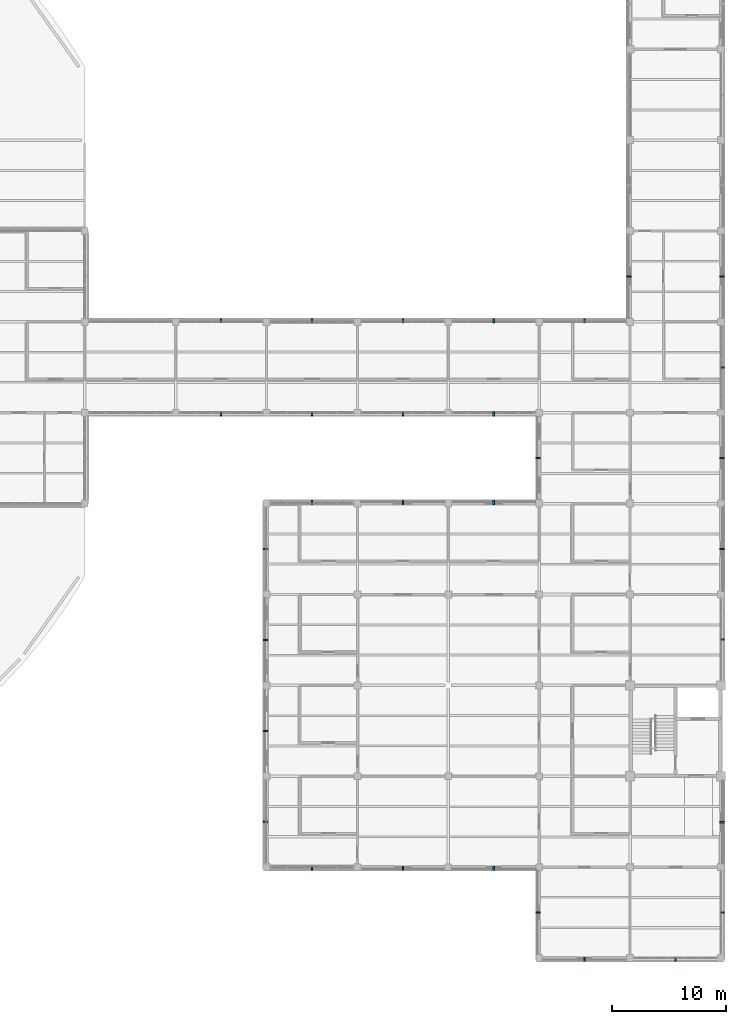
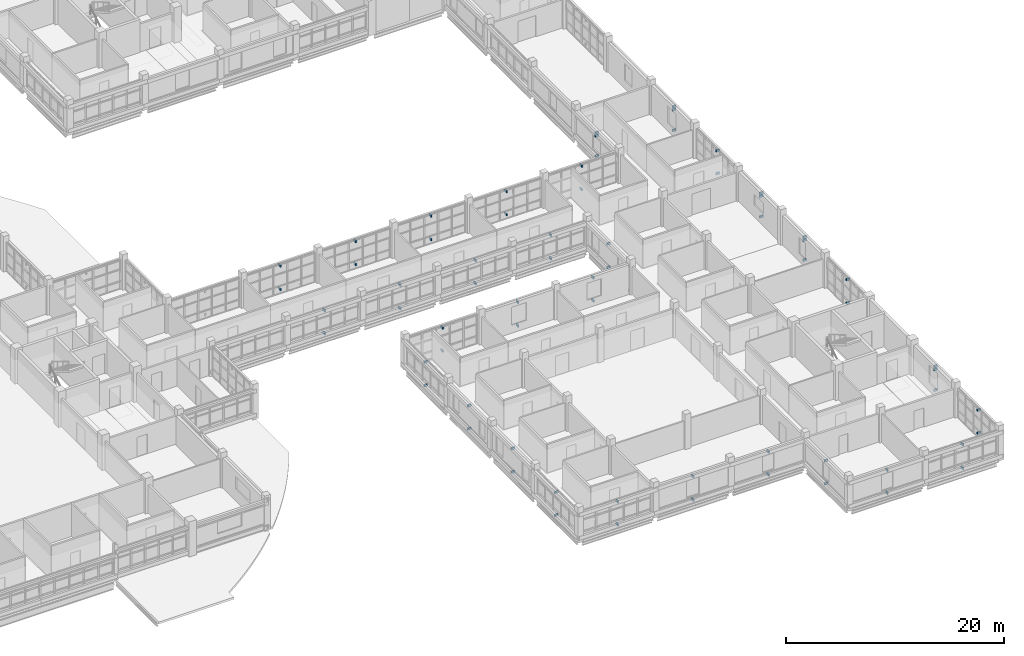
# One storey, part 111 of 126: 67 discrete accessories.
"""IFC4 building model written with IfcOpenShell, lengths in metres."""

from ifc_helpers import new_model, si_unit, derived_unit, direction, frame, origin, origin_2d, place, context, subcontext, project, spatial, rectangle, extrude, material, type_object, element, save


model = new_model("IFC4")

# Units and contexts
model_context = context("Model", 3, precision=1e-05, world=origin(), true_north=direction((0.0, 1.0)))
body_context = subcontext(model_context, "Body", "Model", "MODEL_VIEW")
ifc_project = project(units=[si_unit("LENGTHUNIT", "METRE"), si_unit("AREAUNIT", "SQUARE_METRE"), si_unit("VOLUMEUNIT", "CUBIC_METRE"), si_unit("PLANEANGLEUNIT", "RADIAN"), si_unit("MASSUNIT", "GRAM", prefix="KILO"), derived_unit("THERMALTRANSMITTANCEUNIT", [(si_unit("MASSUNIT", "GRAM", prefix="KILO"), 1), (si_unit("TIMEUNIT", "SECOND"), -3), (si_unit("THERMODYNAMICTEMPERATUREUNIT", "KELVIN"), -1)])], contexts=[model_context])

# Site, building, storey
site_placement = place(None, origin())
site = spatial("IfcSite", under=ifc_project, at=site_placement, CompositionType="ELEMENT")
building_placement = place(site_placement, origin())
building = spatial("IfcBuilding", under=site, at=building_placement, Name="Veyamyaing Civic Hall", CompositionType="ELEMENT")
storey_placement = place(building_placement, frame((0.0, 0.0, 9.89990234375)))
storey = spatial("IfcBuildingStorey", under=building, at=storey_placement, Name="L02", CompositionType="ELEMENT", Elevation=9.89990234375)

# Discrete accessories
ifc_material = material(Name="Steel S355J2", Category="steel")
discrete_accessory_type = type_object("IfcDiscreteAccessoryType", Name="BK-01", PredefinedType="BRACKET", material=ifc_material)
for number, where, z_axis, x_axis, name in (
    (1, (132.0, 47.89990234375, 2.93994140625), (0.0, 0.0, 1.0), (0.0, -1.0, 0.0), "Sunshade anchor bracket BK-01 L02 S 17.7"),
    (2, (132.0, 47.89990234375, 0.35986328125), (0.0, 0.0, 1.0), (0.0, -1.0, 0.0), "Lower ribbon anchor bracket BK-01 L02 S 17.7"),
    (3, (132.0, 56.10009765625, 3.00390625), (0.0, 0.0, 1.0), (0.0, 1.0, 0.0), "Sunshade anchor bracket BK-01 L02 N 17.7"),
    (4, (132.0, 56.10009765625, 0.35986328125), (0.0, 0.0, 1.0), (0.0, 1.0, 0.0), "Lower ribbon anchor bracket BK-01 L02 N 17.7"),
    (5, (140.0, 7.89990234375, 2.93994140625), (0.0, 0.0, 1.0), (0.0, -1.0, 0.0), "Sunshade anchor bracket BK-01 L02 S 18.2"),
    (6, (140.0, 7.89990234375, 0.35986328125), (0.0, 0.0, 1.0), (0.0, -1.0, 0.0), "Lower ribbon anchor bracket BK-01 L02 S 18.2"),
    (7, (135.89990234375, 12.0, 2.93994140625), (0.0, 0.0, 1.0), (-1.0, 0.0, 0.0), "Sunshade anchor bracket BK-01 L02 W 18.2"),
    (8, (135.89990234375, 12.0, 0.35986328125), (0.0, 0.0, 1.0), (-1.0, 0.0, 0.0), "Lower ribbon anchor bracket BK-01 L02 W 18.2"),
    (9, (135.89990234375, 20.0, 3.00390625), (0.0, 0.0, 1.0), (-1.0, 0.0, 0.0), "Sunshade anchor bracket BK-01 L02 W 18.3"),
    (10, (135.89990234375, 20.0, 0.35986328125), (0.0, 0.0, 1.0), (-1.0, 0.0, 0.0), "Lower ribbon anchor bracket BK-01 L02 W 18.3"),
    (11, (135.89990234375, 28.0, 2.9443359375), (0.0, 0.0, 1.0), (-1.0, 0.0, 0.0), "Sunshade anchor bracket BK-01 L02 W 18.4"),
    (12, (135.89990234375, 28.0, 0.35986328125), (0.0, 0.0, 1.0), (-1.0, 0.0, 0.0), "Lower ribbon anchor bracket BK-01 L02 W 18.4"),
    (13, (140.0, 40.10009765625, 2.93994140625), (0.0, 0.0, 1.0), (0.0, 1.0, 0.0), "Sunshade anchor bracket BK-01 L02 N 18.5"),
    (14, (140.0, 40.10009765625, 0.35986328125), (0.0, 0.0, 1.0), (0.0, 1.0, 0.0), "Lower ribbon anchor bracket BK-01 L02 N 18.5"),
    (15, (135.89990234375, 36.0, 3.00732421875), (0.0, 0.0, 1.0), (-1.0, 0.0, 0.0), "Sunshade anchor bracket BK-01 L02 W 18.5"),
    (16, (135.89990234375, 36.0, 0.35986328125), (0.0, 0.0, 1.0), (-1.0, 0.0, 0.0), "Lower ribbon anchor bracket BK-01 L02 W 18.5"),
    (17, (140.0, 47.89990234375, 3.00390625), (0.0, 0.0, 1.0), (0.0, -1.0, 0.0), "Sunshade anchor bracket BK-01 L02 S 18.7"),
    (18, (140.0, 47.89990234375, 0.35986328125), (0.0, 0.0, 1.0), (0.0, -1.0, 0.0), "Lower ribbon anchor bracket BK-01 L02 S 18.7"),
    (19, (140.0, 56.10009765625, 2.9443359375), (0.0, 0.0, 1.0), (0.0, 1.0, 0.0), "Sunshade anchor bracket BK-01 L02 N 18.7"),
    (20, (140.0, 56.10009765625, 0.35986328125), (0.0, 0.0, 1.0), (0.0, 1.0, 0.0), "Lower ribbon anchor bracket BK-01 L02 N 18.7"),
    (21, (148.0, 7.89990234375, 3.00390625), (0.0, 0.0, 1.0), (0.0, -1.0, 0.0), "Sunshade anchor bracket BK-01 L02 S 19.2"),
    (22, (148.0, 7.89990234375, 0.35986328125), (0.0, 0.0, 1.0), (0.0, -1.0, 0.0), "Lower ribbon anchor bracket BK-01 L02 S 19.2"),
    (23, (148.0, 40.10009765625, 3.01904296875), (0.0, 0.0, 1.0), (0.0, 1.0, 0.0), "Sunshade anchor bracket BK-01 L02 N 19.5"),
    (24, (148.0, 40.10009765625, 0.35986328125), (0.0, 0.0, 1.0), (0.0, 1.0, 0.0), "Lower ribbon anchor bracket BK-01 L02 N 19.5"),
    (25, (148.0, 47.89990234375, 2.9443359375), (0.0, 0.0, 1.0), (0.0, -1.0, 0.0), "Sunshade anchor bracket BK-01 L02 S 19.7"),
    (26, (148.0, 47.89990234375, 0.35986328125), (0.0, 0.0, 1.0), (0.0, -1.0, 0.0), "Lower ribbon anchor bracket BK-01 L02 S 19.7"),
    (27, (148.0, 56.10009765625, 3.00732421875), (0.0, 0.0, 1.0), (0.0, 1.0, 0.0), "Sunshade anchor bracket BK-01 L02 N 19.7"),
    (28, (148.0, 56.10009765625, 0.35986328125), (0.0, 0.0, 1.0), (0.0, 1.0, 0.0), "Lower ribbon anchor bracket BK-01 L02 N 19.7"),
    (29, (156.0, 7.89990234375, 2.9443359375), (0.0, 0.0, 1.0), (0.0, -1.0, 0.0), "Sunshade anchor bracket BK-01 L02 S 20.2"),
    (30, (156.0, 7.89990234375, 0.35986328125), (0.0, 0.0, 1.0), (0.0, -1.0, 0.0), "Lower ribbon anchor bracket BK-01 L02 S 20.2"),
    (31, (156.0, 40.10009765625, 2.958984375), (0.0, 0.0, 1.0), (0.0, 1.0, 0.0), "Sunshade anchor bracket BK-01 L02 N 20.5"),
    (32, (156.0, 40.10009765625, 0.35986328125), (0.0, 0.0, 1.0), (0.0, 1.0, 0.0), "Lower ribbon anchor bracket BK-01 L02 N 20.5"),
    (33, (156.0, 47.89990234375, 3.00732421875), (0.0, 0.0, 1.0), (0.0, -1.0, 0.0), "Sunshade anchor bracket BK-01 L02 S 20.7"),
    (34, (156.0, 47.89990234375, 0.35986328125), (0.0, 0.0, 1.0), (0.0, -1.0, 0.0), "Lower ribbon anchor bracket BK-01 L02 S 20.7"),
    (35, (156.0, 56.10009765625, 2.93994140625), (0.0, 0.0, 1.0), (0.0, 1.0, 0.0), "Sunshade anchor bracket BK-01 L02 N 20.7"),
    (36, (156.0, 56.10009765625, 0.35986328125), (0.0, 0.0, 1.0), (0.0, 1.0, 0.0), "Lower ribbon anchor bracket BK-01 L02 N 20.7"),
    (37, (164.0, -0.10009765625, 2.9443359375), (0.0, 0.0, 1.0), (0.0, -1.0, 0.0), "Sunshade anchor bracket BK-01 L02 S 21.1"),
    (38, (164.0, -0.10009765625, 0.35986328125), (0.0, 0.0, 1.0), (0.0, -1.0, 0.0), "Lower ribbon anchor bracket BK-01 L02 S 21.1"),
    (39, (159.89990234375, 4.0, 2.9443359375), (0.0, 0.0, 1.0), (-1.0, 0.0, 0.0), "Sunshade anchor bracket BK-01 L02 W 21.1"),
    (40, (159.89990234375, 4.0, 0.35986328125), (0.0, 0.0, 1.0), (-1.0, 0.0, 0.0), "Lower ribbon anchor bracket BK-01 L02 W 21.1"),
    (41, (159.89990234375, 44.0, 3.00732421875), (0.0, 0.0, 1.0), (-1.0, 0.0, 0.0), "Sunshade anchor bracket BK-01 L02 W 21.6"),
    (42, (159.89990234375, 44.0, 0.35986328125), (0.0, 0.0, 1.0), (-1.0, 0.0, 0.0), "Lower ribbon anchor bracket BK-01 L02 W 21.6"),
    (43, (164.0, 56.10009765625, 3.00390625), (0.0, 0.0, 1.0), (0.0, 1.0, 0.0), "Sunshade anchor bracket BK-01 L02 N 21.7"),
    (44, (164.0, 56.10009765625, 0.35986328125), (0.0, 0.0, 1.0), (0.0, 1.0, 0.0), "Lower ribbon anchor bracket BK-01 L02 N 21.7"),
    (45, (172.0, -0.10009765625, 3.00732421875), (0.0, 0.0, 1.0), (0.0, -1.0, 0.0), "Sunshade anchor bracket BK-01 L02 S 22.1"),
    (46, (172.0, -0.10009765625, 0.35986328125), (0.0, 0.0, 1.0), (0.0, -1.0, 0.0), "Lower ribbon anchor bracket BK-01 L02 S 22.1"),
    (47, (176.10009765625, 4.0, 2.93994140625), (0.0, 0.0, 1.0), (1.0, 0.0, 0.0), "Sunshade anchor bracket BK-01 L02 E 22.1"),
    (48, (176.10009765625, 4.0, 0.35986328125), (0.0, 0.0, 1.0), (1.0, 0.0, 0.0), "Lower ribbon anchor bracket BK-01 L02 E 22.1"),
    (49, (176.10009765625, 11.949951171875, 3.00390625), (0.0, 0.0, 1.0), (1.0, 0.0, 0.0), "Sunshade anchor bracket BK-01 L02 E 22.2"),
    (50, (176.10009765625, 11.949951171875, 0.35986328125), (0.0, 0.0, 1.0), (1.0, 0.0, 0.0), "Lower ribbon anchor bracket BK-01 L02 E 22.2"),
    (51, (176.10009765625, 11.949951171875, 2.67431640625), (0.0, 0.0, 1.0), (1.0, 0.0, 0.0), "Louvre anchor bracket BK-01 L02 E 22.2"),
    (52, (176.10009765625, 28.050048828125, 3.00732421875), (0.0, 0.0, 1.0), (1.0, 0.0, 0.0), "Sunshade anchor bracket BK-01 L02 E 22.4"),
    (53, (176.10009765625, 28.050048828125, 0.35986328125), (0.0, 0.0, 1.0), (1.0, 0.0, 0.0), "Lower ribbon anchor bracket BK-01 L02 E 22.4"),
    (54, (176.10009765625, 36.0, 2.93994140625), (0.0, 0.0, 1.0), (1.0, 0.0, 0.0), "Sunshade anchor bracket BK-01 L02 E 22.5"),
    (55, (176.10009765625, 36.0, 0.35986328125), (0.0, 0.0, 1.0), (1.0, 0.0, 0.0), "Lower ribbon anchor bracket BK-01 L02 E 22.5"),
    (56, (176.10009765625, 36.0, 2.60986328125), (0.0, 0.0, 1.0), (1.0, 0.0, 0.0), "Louvre anchor bracket BK-01 L02 E 22.5"),
    (57, (176.10009765625, 44.0, 3.00390625), (0.0, 0.0, 1.0), (1.0, 0.0, 0.0), "Sunshade anchor bracket BK-01 L02 E 22.6"),
    (58, (176.10009765625, 44.0, 0.35986328125), (0.0, 0.0, 1.0), (1.0, 0.0, 0.0), "Lower ribbon anchor bracket BK-01 L02 E 22.6"),
    (59, (176.10009765625, 44.0, 2.67431640625), (0.0, 0.0, 1.0), (1.0, 0.0, 0.0), "Louvre anchor bracket BK-01 L02 E 22.6"),
    (60, (176.10009765625, 52.0, 2.9443359375), (0.0, 0.0, 1.0), (1.0, 0.0, 0.0), "Sunshade anchor bracket BK-01 L02 E 22.7"),
    (61, (176.10009765625, 52.0, 0.35986328125), (0.0, 0.0, 1.0), (1.0, 0.0, 0.0), "Lower ribbon anchor bracket BK-01 L02 E 22.7"),
    (62, (167.89990234375, 60.0, 2.9443359375), (0.0, 0.0, 1.0), (-1.0, 0.0, 0.0), "Sunshade anchor bracket BK-01 L02 W 22.8"),
    (63, (167.89990234375, 60.0, 0.35986328125), (0.0, 0.0, 1.0), (-1.0, 0.0, 0.0), "Lower ribbon anchor bracket BK-01 L02 W 22.8"),
    (64, (167.89990234375, 60.0, 2.6142578125), (0.0, 0.0, 1.0), (-1.0, 0.0, 0.0), "Louvre anchor bracket BK-01 L02 W 22.8"),
    (65, (176.10009765625, 60.0, 3.00732421875), (0.0, 0.0, 1.0), (1.0, 0.0, 0.0), "Sunshade anchor bracket BK-01 L02 E 22.8"),
    (66, (176.10009765625, 60.0, 0.35986328125), (0.0, 0.0, 1.0), (1.0, 0.0, 0.0), "Lower ribbon anchor bracket BK-01 L02 E 22.8"),
    (67, (176.10009765625, 60.0, 2.67724609375), (0.0, 0.0, 1.0), (1.0, 0.0, 0.0), "Louvre anchor bracket BK-01 L02 E 22.8"),
):
    element("IfcDiscreteAccessory", number, at=place(storey_placement, frame(where, z_axis=z_axis, x_axis=x_axis)), inside=storey, type_object=discrete_accessory_type, Name=name, PredefinedType="BRACKET", context=body_context, shape_type="SweptSolid", body=[
        extrude(rectangle(XDim=0.3798828125, YDim=0.139892578125, at=origin_2d()), origin(), (0.0, 0.0, 1.0), 0.239990234375),
    ])

save(model, "model.ifc")
